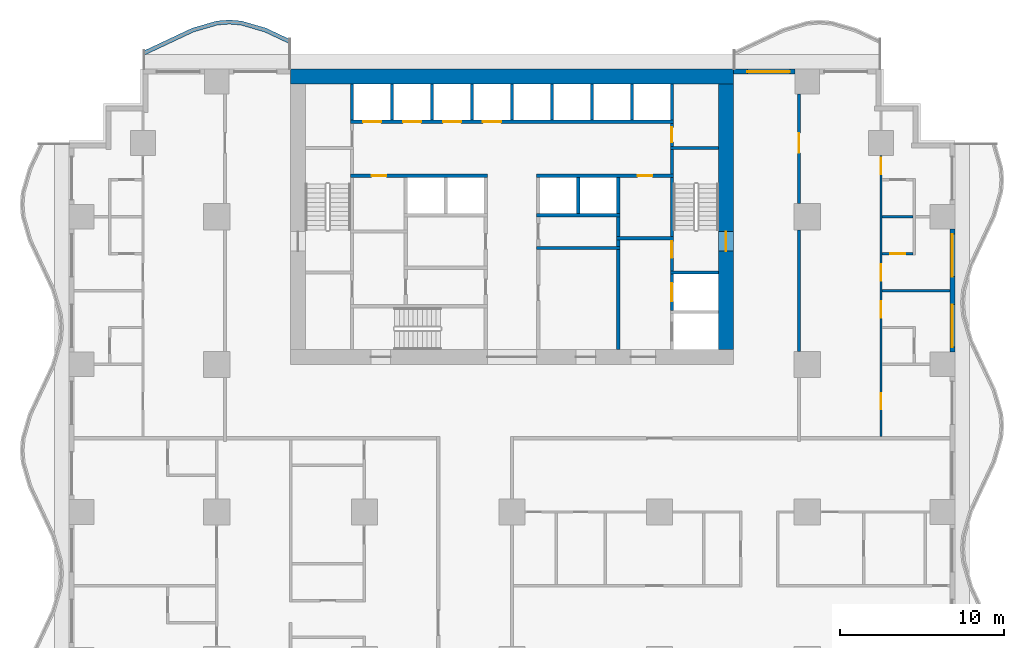
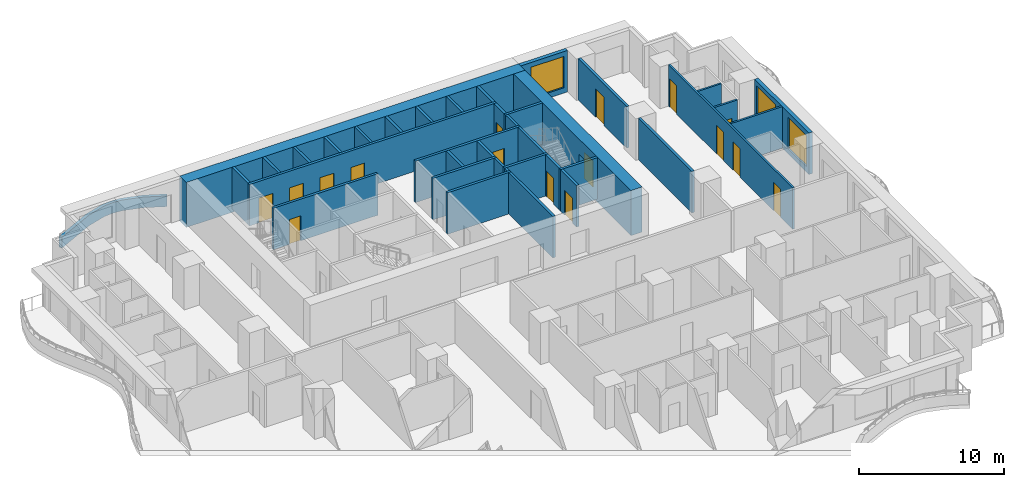
# One storey, part 6 of 14: 38 walls, 16 doors, 3 windows, 19 openings.
"""IFC4 building model written with IfcOpenShell, lengths in metres."""

import ifcopenshell
import ifcopenshell.guid

model = None  # the IFC model being written
_history = None  # IfcOwnerHistory: only IFC2X3 demands one
_inside = {}  # id of a spatial element -> (the spatial element, [elements in it])
_under = {}  # id of a project, library or spatial element -> (it, [spatial elements below it])
_declared = {}  # id of a project -> (the project, [libraries it declares])
_typed = {}  # id of a type object -> (the type object, [elements of that type])
_made_of = {}  # id of a material, layer set ... -> (it, [elements and type objects made of it])


def new_model(schema):
    """Start an empty IFC model of exactly this schema.

    Asked for "IFC4X3", IfcOpenShell would pick the latest addendum, in which some entities
    have other attributes; the version numbers below select the first issue.
    IFC2X3 requires an IfcOwnerHistory on every rooted entity: one is made here for all.
    """
    global model, _history
    if schema == "IFC4X3":
        model = ifcopenshell.file(schema_version=(4, 3, 0, 0))
    else:
        model = ifcopenshell.file(schema=schema)
    _inside.clear()
    _under.clear()
    _declared.clear()
    _typed.clear()
    _made_of.clear()
    _history = None
    if model.schema == "IFC2X3":
        org = make("IfcOrganization", Name="unknown")
        user = make(
            "IfcPersonAndOrganization",
            ThePerson=make("IfcPerson", FamilyName="unknown"),
            TheOrganization=org,
        )
        app = make(
            "IfcApplication",
            ApplicationDeveloper=org,
            Version="unknown",
            ApplicationFullName="unknown",
            ApplicationIdentifier="unknown",
        )
        _history = make(
            "IfcOwnerHistory",
            OwningUser=user,
            OwningApplication=app,
            ChangeAction="ADDED",
            CreationDate=0,
        )
    return model


def make(cls, **values):
    """One entity of the class cls with the attributes given. An attribute that is None is left unset."""
    return model.create_entity(
        cls, **{name: value for name, value in values.items() if value is not None}
    )


def rooted(cls, **values):
    """An entity with a GlobalId (a new one), such as an element, a storey or a relation."""
    return make(cls, GlobalId=ifcopenshell.guid.new(), OwnerHistory=_history, **values)


def si_unit(unit_type, name, prefix=None):
    """IfcSIUnit, for example si_unit("LENGTHUNIT", "METRE", prefix="MILLI")."""
    return make("IfcSIUnit", UnitType=unit_type, Prefix=prefix, Name=name)


def assignment(units):
    """IfcUnitAssignment: the units of a project."""
    return None if units is None else make("IfcUnitAssignment", Units=units)


def point(xyz):
    """IfcCartesianPoint."""
    return None if xyz is None else make("IfcCartesianPoint", Coordinates=xyz)


def direction(xyz):
    """IfcDirection."""
    return None if xyz is None else make("IfcDirection", DirectionRatios=xyz)


def frame(location, z_axis=None, x_axis=None):
    """IfcAxis2Placement3D, a coordinate frame: its origin and axes. An axis left out is left unset."""
    return make(
        "IfcAxis2Placement3D",
        Location=point(location),
        Axis=direction(z_axis),
        RefDirection=direction(x_axis),
    )


def frame_2d(location, x_axis=None):
    """IfcAxis2Placement2D, a coordinate frame in the plane: its origin and x axis."""
    return make(
        "IfcAxis2Placement2D", Location=point(location), RefDirection=direction(x_axis)
    )


def origin():
    """The frame at (0, 0, 0) with its axes left unset."""
    return frame((0.0, 0.0, 0.0))


def place(relative_to, where):
    """IfcLocalPlacement: puts the frame where relative to a parent placement (None: the world)."""
    return make(
        "IfcLocalPlacement", PlacementRelTo=relative_to, RelativePlacement=where
    )


def context(
    kind, dimensions, precision=None, world=None, true_north=None, identifier=None
):
    """IfcGeometricRepresentationContext, for example the 3D "Model" context."""
    return make(
        "IfcGeometricRepresentationContext",
        ContextIdentifier=identifier,
        ContextType=kind,
        CoordinateSpaceDimension=dimensions,
        Precision=precision,
        WorldCoordinateSystem=world,
        TrueNorth=true_north,
    )


def subcontext(parent, identifier, kind, view, scale=None):
    """IfcGeometricRepresentationSubContext, for example "Body" below "Model"."""
    return make(
        "IfcGeometricRepresentationSubContext",
        ContextIdentifier=identifier,
        ContextType=kind,
        ParentContext=parent,
        TargetScale=scale,
        TargetView=view,
    )


def project(units=None, contexts=None):
    """IfcProject with its units and contexts."""
    return rooted(
        "IfcProject",
        Name="project",
        RepresentationContexts=contexts,
        UnitsInContext=assignment(units),
    )


def spatial(cls, under=None, at=None, **own):
    """A site, building, storey or space (cls), placed at a placement, below another one or the project."""
    s = rooted(cls, ObjectPlacement=at, **own)
    if under is not None:
        _under.setdefault(under.id(), (under, []))[1].append(s)
    return s


def polyline(points):
    """IfcPolyline through the points."""
    return make("IfcPolyline", Points=[point(p) for p in points])


def profile(cls, at=None, kind="AREA", **sizes):
    """A parametric profile (cls). Its sizes go by their IFC names, for example OverallWidth=200.0."""
    return make(cls, ProfileType=kind, Position=at, **sizes)


def rectangle(**sizes):
    """IfcRectangleProfileDef."""
    return profile("IfcRectangleProfileDef", **sizes)


def outline(outer, holes=None, kind="AREA"):
    """IfcArbitraryClosedProfileDef: a profile drawn as a closed curve; with holes, ...WithVoids."""
    if holes is None:
        return make("IfcArbitraryClosedProfileDef", ProfileType=kind, OuterCurve=outer)
    return make(
        "IfcArbitraryProfileDefWithVoids",
        ProfileType=kind,
        OuterCurve=outer,
        InnerCurves=holes,
    )


def extrude(swept, where, along, depth):
    """IfcExtrudedAreaSolid: the profile swept, set in the frame where, extruded along a direction by depth."""
    return make(
        "IfcExtrudedAreaSolid",
        SweptArea=swept,
        Position=where,
        ExtrudedDirection=direction(along),
        Depth=depth,
    )


def shape(context_of_items, identifier, shape_type, items):
    """IfcShapeRepresentation: the items that make up one representation, for example the "Body"."""
    return make(
        "IfcShapeRepresentation",
        ContextOfItems=context_of_items,
        RepresentationIdentifier=identifier,
        RepresentationType=shape_type,
        Items=items,
    )


def material(Name=None, Category=None):
    """IfcMaterial."""
    return make("IfcMaterial", Name=Name, Category=Category)


def layer(
    of_material, thickness, ventilated=None, Name=None, Category=None, Priority=None
):
    """IfcMaterialLayer: one layer of a wall or slab, of a material (None: an air gap)."""
    return make(
        "IfcMaterialLayer",
        Material=of_material,
        LayerThickness=thickness,
        IsVentilated=ventilated,
        Name=Name,
        Category=Category,
        Priority=Priority,
    )


def layer_set(layers, Name=None):
    """IfcMaterialLayerSet."""
    return make("IfcMaterialLayerSet", MaterialLayers=layers, LayerSetName=Name)


def made_of(thing, what):
    """Note that an element or type object is made of a material, layer set ...; save() writes the relation."""
    if what is not None:
        _made_of.setdefault(what.id(), (what, []))[1].append(thing)
    return thing


def type_object(cls, material=None, **own):
    """A type object (cls), such as IfcWallType, which elements share."""
    return made_of(rooted(cls, **own), material)


def element(
    cls,
    number,
    at=None,
    inside=None,
    cuts=None,
    type_object=None,
    material=None,
    context=None,
    identifier="Body",
    shape_type=None,
    held_by="IfcProductDefinitionShape",
    body=None,
    shapes=None,
    **own,
):
    """One element of the class cls, such as IfcWall. Its Tag is "e" and its number.

    at: its placement. inside: the storey or other place that contains it. cuts: it is an
    opening in that element (IfcRelVoidsElement). A single representation is given by context,
    identifier, shape_type and body (its items); several are given by shapes. held_by: the class
    of the entity that holds the representations. save() writes the other relations.
    """
    e = rooted(cls, Tag="e%d" % number, ObjectPlacement=at, **own)
    if body is not None:
        shapes = [shape(context, identifier, shape_type, body)]
    if shapes is not None:
        e.Representation = make(held_by, Representations=shapes)
    if inside is not None:
        _inside.setdefault(inside.id(), (inside, []))[1].append(e)
    if cuts is not None:
        rooted(
            "IfcRelVoidsElement", RelatingBuildingElement=cuts, RelatedOpeningElement=e
        )
    if type_object is not None:
        _typed.setdefault(type_object.id(), (type_object, []))[1].append(e)
    return made_of(e, material)


def fill(opening, filler):
    """IfcRelFillsElement: the door or window that sits in an opening."""
    return rooted(
        "IfcRelFillsElement",
        RelatingOpeningElement=opening,
        RelatedBuildingElement=filler,
    )


def aggregate(whole, parts):
    """IfcRelAggregates: a whole, such as a stair, and the parts it consists of."""
    return rooted("IfcRelAggregates", RelatingObject=whole, RelatedObjects=parts)


def save(model, path):
    """Write the relations noted so far, then the file.

    IfcRelAggregates (storeys below a building ...), IfcRelContainedInSpatialStructure (elements
    in a storey), IfcRelDefinesByType, IfcRelAssociatesMaterial and IfcRelDeclares: one each for
    every whole, place, type object, material and project.
    """
    for whole, parts in _under.values():
        aggregate(whole, parts)
    for where, things in _inside.values():
        rooted(
            "IfcRelContainedInSpatialStructure",
            RelatedElements=things,
            RelatingStructure=where,
        )
    for kind, things in _typed.values():
        rooted("IfcRelDefinesByType", RelatedObjects=things, RelatingType=kind)
    for what, things in _made_of.values():
        rooted("IfcRelAssociatesMaterial", RelatedObjects=things, RelatingMaterial=what)
    for by, libraries in _declared.values():
        rooted("IfcRelDeclares", RelatingContext=by, RelatedDefinitions=libraries)
    model.write(path)


model = new_model("IFC4")

# Units and contexts
model_context = context("Model", 3, precision=1e-05, world=origin(), true_north=direction((0.0, 1.0)))
body_context = subcontext(model_context, "Body", "Model", "MODEL_VIEW")
ifc_project = project(units=[si_unit("LENGTHUNIT", "METRE"), si_unit("AREAUNIT", "SQUARE_METRE"), si_unit("VOLUMEUNIT", "CUBIC_METRE"), si_unit("PLANEANGLEUNIT", "RADIAN"), si_unit("MASSUNIT", "GRAM", prefix="KILO")], contexts=[model_context])

# Site, building, storey
site_placement = place(None, origin())
site = spatial("IfcSite", under=ifc_project, at=site_placement, CompositionType="ELEMENT")
building_placement = place(site_placement, origin())
building = spatial("IfcBuilding", under=site, at=building_placement, Name="Orbiselva Terraces", CompositionType="ELEMENT")
storey_placement = place(building_placement, frame((0.0, 0.0, 15.0)))
storey = spatial("IfcBuildingStorey", under=building, at=storey_placement, Name="L03", CompositionType="ELEMENT", Elevation=15.0)

# Wall, opening, door
ifc_material_1 = material(Name="Concrete C80/95", Category="concrete")
ifc_layer_1 = layer(ifc_material_1, 0.9)
ifc_layer_set_1 = layer_set([ifc_layer_1], Name="Concrete C80/95")
wall_type_1 = type_object("IfcWallType", Name="CORE WALL 900", PredefinedType="SHEAR", material=ifc_layer_set_1)
wall_1_placement = place(storey_placement, frame((13.05, 5.4, -0.3), z_axis=(0.0, 0.0, 1.0), x_axis=(0.0, 1.0, 0.0)))
wall_1 = element("IfcWall", 1, at=wall_1_placement, inside=storey, type_object=wall_type_1, Name="Core wall L03 east", PredefinedType="SHEAR", context=body_context, shape_type="SweptSolid", body=[
    extrude(rectangle(XDim=16.2, YDim=0.9, at=frame_2d((8.1, 0.0))), origin(), (0.0, 0.0, 1.0), 3.8),
])
opening_1_placement = place(wall_1_placement, frame((6.0, 0.0, 0.3)))
opening_1 = element("IfcOpeningElement", 2, at=opening_1_placement, cuts=wall_1, Name="Opening DS1200", PredefinedType="OPENING", context=body_context, shape_type="SweptSolid", body=[
    extrude(rectangle(XDim=1.2, YDim=2.2, at=frame_2d((0.6, 1.1))), frame((0.0, 0.46, 0.0), z_axis=(0.0, -1.0, 0.0), x_axis=(1.0, 0.0, 0.0)), (0.0, 0.0, 1.0), 0.92),
])
ifc_material_2 = material(Name="Steel fire door", Category="steel")
door_type_1 = type_object("IfcDoorType", Name="STAIR DOOR 1200", OperationType="NOTDEFINED", PredefinedType="DOOR", material=ifc_material_2)
door_1_placement = place(opening_1_placement, frame((1.2, 0.0, 0.0), z_axis=(0.0, 0.0, 1.0), x_axis=(-1.0, 0.0, 0.0)))
door_1 = element("IfcDoor", 3, at=door_1_placement, inside=storey, type_object=door_type_1, Name="L03 EXIT STAIR S2 door", OperationType="SINGLE_SWING_LEFT", OverallHeight=2.2, OverallWidth=1.2, PredefinedType="DOOR", context=body_context, shape_type="SweptSolid", body=[
    extrude(rectangle(XDim=1.2, YDim=2.2, at=frame_2d((0.6, 1.1))), frame((0.0, 0.025, 0.0), z_axis=(0.0, -1.0, 0.0), x_axis=(1.0, 0.0, 0.0)), (0.0, 0.0, 1.0), 0.05),
])
fill(opening_1, door_1)

# Walls
ifc_layer_2 = layer(ifc_material_1, 0.9)
ifc_layer_set_2 = layer_set([ifc_layer_2], Name="Concrete C80/95")
wall_type_2 = type_object("IfcWallType", Name="CORE WALL 900 EXTERNAL", PredefinedType="SHEAR", material=ifc_layer_set_2)
wall_2_placement = place(storey_placement, frame((13.5, 22.05, -0.3), z_axis=(0.0, 0.0, 1.0), x_axis=(-1.0, 0.0, 0.0)))
element("IfcWall", 4, at=wall_2_placement, inside=storey, type_object=wall_type_2, Name="Core wall L03 north", PredefinedType="SHEAR", context=body_context, shape_type="SweptSolid", body=[
    extrude(rectangle(XDim=27.0, YDim=0.9, at=frame_2d((13.5, 0.0))), origin(), (0.0, 0.0, 1.0), 3.8),
])
ifc_material_3 = material(Name="Masonry blockwork", Category="masonry")
ifc_layer_3 = layer(ifc_material_3, 0.2)
ifc_layer_set_3 = layer_set([ifc_layer_3], Name="Masonry blockwork")
wall_type_3 = type_object("IfcWallType", Name="CORE-WALL-PARTITION-200", PredefinedType="PARTITIONING", material=ifc_layer_set_3)
wall_3_placement = place(storey_placement, frame((6.475, 12.3, 0.0), z_axis=(0.0, 0.0, 1.0), x_axis=(0.0, 1.0, 0.0)))
element("IfcWall", 5, at=wall_3_placement, inside=storey, type_object=wall_type_3, Name="L03 core wall 41", PredefinedType="PARTITIONING", context=body_context, shape_type="SweptSolid", body=[
    extrude(rectangle(XDim=1.2, YDim=0.2, at=frame_2d((0.6, 0.0))), origin(), (0.0, 0.0, 1.0), 3.5),
])

# Wall, opening, door
wall_4_placement = place(storey_placement, frame((9.75, 19.2, 0.0), z_axis=(0.0, 0.0, 1.0), x_axis=(0.0, -1.0, 0.0)))
wall_4 = element("IfcWall", 6, at=wall_4_placement, inside=storey, type_object=wall_type_3, Name="L03 core wall 52", PredefinedType="PARTITIONING", context=body_context, shape_type="SweptSolid", body=[
    extrude(rectangle(XDim=1.4, YDim=0.2, at=frame_2d((0.7, 0.0))), origin(), (0.0, 0.0, 1.0), 3.5),
])
opening_2_placement = place(wall_4_placement, frame((0.25, 0.0, 0.0)))
opening_2 = element("IfcOpeningElement", 7, at=opening_2_placement, cuts=wall_4, Name="Opening DR900", PredefinedType="OPENING", context=body_context, shape_type="SweptSolid", body=[
    extrude(rectangle(XDim=0.9, YDim=2.1, at=frame_2d((0.45, 1.05))), frame((0.0, 0.11, 0.0), z_axis=(0.0, -1.0, 0.0), x_axis=(1.0, 0.0, 0.0)), (0.0, 0.0, 1.0), 0.22),
])
door_type_2 = type_object("IfcDoorType", Name="ROOM DOOR 900", OperationType="NOTDEFINED", PredefinedType="DOOR", material=ifc_material_2)
door_2_placement = place(opening_2_placement, origin())
door_2 = element("IfcDoor", 8, at=door_2_placement, inside=storey, type_object=door_type_2, Name="L03 COMMS RISER ROOM door", OperationType="SINGLE_SWING_RIGHT", OverallHeight=2.1, OverallWidth=0.9, PredefinedType="DOOR", context=body_context, shape_type="SweptSolid", body=[
    extrude(rectangle(XDim=0.9, YDim=2.1, at=frame_2d((0.45, 1.05))), frame((0.0, 0.025, 0.0), z_axis=(0.0, -1.0, 0.0), x_axis=(1.0, 0.0, 0.0)), (0.0, 0.0, 1.0), 0.05),
])
fill(opening_2, door_2)

# Walls
ifc_material_4 = material(Name="Concrete C40/50", Category="concrete")
ifc_layer_4 = layer(ifc_material_4, 0.2)
ifc_layer_set_4 = layer_set([ifc_layer_4], Name="Concrete C40/50")
wall_type_4 = type_object("IfcWallType", Name="CORE-WALL-SHAFT-200", PredefinedType="PARTITIONING", material=ifc_layer_set_4)
for number, where, z_axis, x_axis, name in (
    (9, (-9.75, 19.4, 0.0), (0.0, 0.0, 1.0), (0.0, 1.0, 0.0), "L03 core wall 13"),
    (10, (-7.3125, 19.4, 0.0), (0.0, 0.0, 1.0), (0.0, 1.0, 0.0), "L03 core wall 14"),
    (11, (-4.875, 19.4, 0.0), (0.0, 0.0, 1.0), (0.0, 1.0, 0.0), "L03 core wall 21"),
    (12, (-2.4375, 19.4, 0.0), (0.0, 0.0, 1.0), (0.0, 1.0, 0.0), "L03 core wall 23"),
    (13, (0.0, 19.4, 0.0), (0.0, 0.0, 1.0), (0.0, 1.0, 0.0), "L03 core wall 28"),
    (14, (2.4375, 19.4, 0.0), (0.0, 0.0, 1.0), (0.0, 1.0, 0.0), "L03 core wall 35"),
    (15, (4.0375, 13.7, 0.0), (0.0, 0.0, 1.0), (0.0, 1.0, 0.0), "L03 core wall 36"),
    (16, (4.875, 19.4, 0.0), (0.0, 0.0, 1.0), (0.0, 1.0, 0.0), "L03 core wall 37"),
    (17, (6.475, 13.7, 0.0), (0.0, 0.0, 1.0), (0.0, 1.0, 0.0), "L03 core wall 42"),
    (18, (7.3125, 19.4, 0.0), (0.0, 0.0, 1.0), (0.0, 1.0, 0.0), "L03 core wall 43"),
    (19, (9.75, 19.4, 0.0), (0.0, 0.0, 1.0), (0.0, 1.0, 0.0), "L03 core wall 53"),
):
    element("IfcWall", number, at=place(storey_placement, frame(where, z_axis=z_axis, x_axis=x_axis)), inside=storey, type_object=wall_type_4, Name=name, PredefinedType="PARTITIONING", context=body_context, shape_type="SweptSolid", body=[
        extrude(rectangle(XDim=2.2, YDim=0.2, at=frame_2d((1.1, 0.0))), origin(), (0.0, 0.0, 1.0), 3.5),
    ])

# Wall, opening, door
ifc_material_5 = material(Name="Concrete C60/75", Category="concrete")
ifc_layer_5 = layer(ifc_material_5, 0.2)
ifc_layer_set_5 = layer_set([ifc_layer_5], Name="Concrete C60/75")
wall_type_5 = type_object("IfcWallType", Name="CORE-WALL-SHEAR-200", PredefinedType="SHEAR", material=ifc_layer_set_5)
wall_5_placement = place(storey_placement, frame((-1.5, 16.0, 0.0), z_axis=(0.0, 0.0, 1.0), x_axis=(-1.0, 0.0, 0.0)))
wall_5 = element("IfcWall", 20, at=wall_5_placement, inside=storey, type_object=wall_type_5, Name="L03 core wall 09", PredefinedType="SHEAR", context=body_context, shape_type="SweptSolid", body=[
    extrude(rectangle(XDim=8.35, YDim=0.2, at=frame_2d((4.175, 0.0))), origin(), (0.0, 0.0, 1.0), 3.5),
])
opening_3_placement = place(wall_5_placement, frame((6.1625, 0.0, 0.0)))
opening_3 = element("IfcOpeningElement", 21, at=opening_3_placement, cuts=wall_5, Name="Opening DR900", PredefinedType="OPENING", context=body_context, shape_type="SweptSolid", body=[
    extrude(rectangle(XDim=0.9, YDim=2.1, at=frame_2d((0.45, 1.05))), frame((0.0, 0.11, 0.0), z_axis=(0.0, -1.0, 0.0), x_axis=(1.0, 0.0, 0.0)), (0.0, 0.0, 1.0), 0.22),
])
door_3_placement = place(opening_3_placement, origin())
door_3 = element("IfcDoor", 22, at=door_3_placement, inside=storey, type_object=door_type_2, Name="L03 IT ROOM door", OperationType="SINGLE_SWING_RIGHT", OverallHeight=2.1, OverallWidth=0.9, PredefinedType="DOOR", context=body_context, shape_type="SweptSolid", body=[
    extrude(rectangle(XDim=0.9, YDim=2.1, at=frame_2d((0.45, 1.05))), frame((0.0, 0.025, 0.0), z_axis=(0.0, -1.0, 0.0), x_axis=(1.0, 0.0, 0.0)), (0.0, 0.0, 1.0), 0.05),
])
fill(opening_3, door_3)

# Wall, openings, doors
wall_6_placement = place(storey_placement, frame((-9.85, 19.3, 0.0), z_axis=(0.0, 0.0, 1.0), x_axis=(1.0, 0.0, 0.0)))
wall_6 = element("IfcWall", 23, at=wall_6_placement, inside=storey, type_object=wall_type_5, Name="L03 core wall 12", PredefinedType="SHEAR", context=body_context, shape_type="SweptSolid", body=[
    extrude(rectangle(XDim=19.7, YDim=0.2, at=frame_2d((9.85, 0.0))), origin(), (0.0, 0.0, 1.0), 3.5),
])
opening_4_placement = place(wall_6_placement, frame((0.76875, 0.0, 0.0)))
opening_4 = element("IfcOpeningElement", 24, at=opening_4_placement, cuts=wall_6, Name="Opening LD-LR1", PredefinedType="OPENING", context=body_context, shape_type="SweptSolid", body=[
    extrude(rectangle(XDim=1.1, YDim=2.1, at=frame_2d((0.55, 1.05))), frame((0.0, 0.11, 0.0), z_axis=(0.0, -1.0, 0.0), x_axis=(1.0, 0.0, 0.0)), (0.0, 0.0, 1.0), 0.22),
])
opening_5_placement = place(wall_6_placement, frame((3.20625, 0.0, 0.0)))
opening_5 = element("IfcOpeningElement", 25, at=opening_5_placement, cuts=wall_6, Name="Opening LD-LR2", PredefinedType="OPENING", context=body_context, shape_type="SweptSolid", body=[
    extrude(rectangle(XDim=1.1, YDim=2.1, at=frame_2d((0.55, 1.05))), frame((0.0, 0.11, 0.0), z_axis=(0.0, -1.0, 0.0), x_axis=(1.0, 0.0, 0.0)), (0.0, 0.0, 1.0), 0.22),
])
opening_6_placement = place(wall_6_placement, frame((5.64375, 0.0, 0.0)))
opening_6 = element("IfcOpeningElement", 26, at=opening_6_placement, cuts=wall_6, Name="Opening LD-LR3", PredefinedType="OPENING", context=body_context, shape_type="SweptSolid", body=[
    extrude(rectangle(XDim=1.1, YDim=2.1, at=frame_2d((0.55, 1.05))), frame((0.0, 0.11, 0.0), z_axis=(0.0, -1.0, 0.0), x_axis=(1.0, 0.0, 0.0)), (0.0, 0.0, 1.0), 0.22),
])
opening_7_placement = place(wall_6_placement, frame((8.08125, 0.0, 0.0)))
opening_7 = element("IfcOpeningElement", 27, at=opening_7_placement, cuts=wall_6, Name="Opening LD-LR4", PredefinedType="OPENING", context=body_context, shape_type="SweptSolid", body=[
    extrude(rectangle(XDim=1.1, YDim=2.1, at=frame_2d((0.55, 1.05))), frame((0.0, 0.11, 0.0), z_axis=(0.0, -1.0, 0.0), x_axis=(1.0, 0.0, 0.0)), (0.0, 0.0, 1.0), 0.22),
])
ifc_material_6 = material(Name="Stainless steel landing door", Category="steel")
door_type_3 = type_object("IfcDoorType", Name="LANDING DOOR 1100", OperationType="SLIDING_TO_LEFT", PredefinedType="DOOR", material=ifc_material_6)
door_4_placement = place(opening_4_placement, origin())
door_4 = element("IfcDoor", 28, at=door_4_placement, inside=storey, type_object=door_type_3, Name="L03 landing door LR1", OperationType="SLIDING_TO_LEFT", OverallHeight=2.1, OverallWidth=1.1, PredefinedType="DOOR", context=body_context, shape_type="SweptSolid", body=[
    extrude(rectangle(XDim=1.1, YDim=2.1, at=frame_2d((0.55, 1.05))), frame((0.0, 0.025, 0.0), z_axis=(0.0, -1.0, 0.0), x_axis=(1.0, 0.0, 0.0)), (0.0, 0.0, 1.0), 0.05),
])
fill(opening_4, door_4)
door_5_placement = place(opening_5_placement, origin())
door_5 = element("IfcDoor", 29, at=door_5_placement, inside=storey, type_object=door_type_3, Name="L03 landing door LR2", OperationType="SLIDING_TO_LEFT", OverallHeight=2.1, OverallWidth=1.1, PredefinedType="DOOR", context=body_context, shape_type="SweptSolid", body=[
    extrude(rectangle(XDim=1.1, YDim=2.1, at=frame_2d((0.55, 1.05))), frame((0.0, 0.025, 0.0), z_axis=(0.0, -1.0, 0.0), x_axis=(1.0, 0.0, 0.0)), (0.0, 0.0, 1.0), 0.05),
])
fill(opening_5, door_5)
door_6_placement = place(opening_6_placement, origin())
door_6 = element("IfcDoor", 30, at=door_6_placement, inside=storey, type_object=door_type_3, Name="L03 landing door LR3", OperationType="SLIDING_TO_LEFT", OverallHeight=2.1, OverallWidth=1.1, PredefinedType="DOOR", context=body_context, shape_type="SweptSolid", body=[
    extrude(rectangle(XDim=1.1, YDim=2.1, at=frame_2d((0.55, 1.05))), frame((0.0, 0.025, 0.0), z_axis=(0.0, -1.0, 0.0), x_axis=(1.0, 0.0, 0.0)), (0.0, 0.0, 1.0), 0.05),
])
fill(opening_6, door_6)
door_7_placement = place(opening_7_placement, origin())
door_7 = element("IfcDoor", 31, at=door_7_placement, inside=storey, type_object=door_type_3, Name="L03 landing door LR4", OperationType="SLIDING_TO_LEFT", OverallHeight=2.1, OverallWidth=1.1, PredefinedType="DOOR", context=body_context, shape_type="SweptSolid", body=[
    extrude(rectangle(XDim=1.1, YDim=2.1, at=frame_2d((0.55, 1.05))), frame((0.0, 0.025, 0.0), z_axis=(0.0, -1.0, 0.0), x_axis=(1.0, 0.0, 0.0)), (0.0, 0.0, 1.0), 0.05),
])
fill(opening_7, door_7)

# Walls
for number, where, z_axis, x_axis, name in (
    (32, (1.5, 11.6, 0.0), (0.0, 0.0, 1.0), (1.0, 0.0, 0.0), "L03 core wall 30"),
    (33, (1.5, 13.6, 0.0), (0.0, 0.0, 1.0), (1.0, 0.0, 0.0), "L03 core wall 32"),
):
    element("IfcWall", number, at=place(storey_placement, frame(where, z_axis=z_axis, x_axis=x_axis)), inside=storey, type_object=wall_type_5, Name=name, PredefinedType="SHEAR", context=body_context, shape_type="SweptSolid", body=[
        extrude(rectangle(XDim=5.075, YDim=0.2, at=frame_2d((2.5375, 0.0))), origin(), (0.0, 0.0, 1.0), 3.5),
    ])

# Wall, opening, door
wall_7_placement = place(storey_placement, frame((9.85, 16.0, 0.0), z_axis=(0.0, 0.0, 1.0), x_axis=(-1.0, 0.0, 0.0)))
wall_7 = element("IfcWall", 34, at=wall_7_placement, inside=storey, type_object=wall_type_5, Name="L03 core wall 34", PredefinedType="SHEAR", context=body_context, shape_type="SweptSolid", body=[
    extrude(rectangle(XDim=8.35, YDim=0.2, at=frame_2d((4.175, 0.0))), origin(), (0.0, 0.0, 1.0), 3.5),
])
opening_8_placement = place(wall_7_placement, frame((1.2875, 0.0, 0.0)))
opening_8 = element("IfcOpeningElement", 35, at=opening_8_placement, cuts=wall_7, Name="Opening DR900", PredefinedType="OPENING", context=body_context, shape_type="SweptSolid", body=[
    extrude(rectangle(XDim=0.9, YDim=2.1, at=frame_2d((0.45, 1.05))), frame((0.0, 0.11, 0.0), z_axis=(0.0, -1.0, 0.0), x_axis=(1.0, 0.0, 0.0)), (0.0, 0.0, 1.0), 0.22),
])
door_8_placement = place(opening_8_placement, origin())
door_8 = element("IfcDoor", 36, at=door_8_placement, inside=storey, type_object=door_type_2, Name="L03 PIPE RISER ROOM door", OperationType="SINGLE_SWING_LEFT", OverallHeight=2.1, OverallWidth=0.9, PredefinedType="DOOR", context=body_context, shape_type="SweptSolid", body=[
    extrude(rectangle(XDim=0.9, YDim=2.1, at=frame_2d((0.45, 1.05))), frame((0.0, 0.025, 0.0), z_axis=(0.0, -1.0, 0.0), x_axis=(1.0, 0.0, 0.0)), (0.0, 0.0, 1.0), 0.05),
])
fill(opening_8, door_8)

# Walls
wall_8_placement = place(storey_placement, frame((6.475, 5.4, 0.0), z_axis=(0.0, 0.0, 1.0), x_axis=(0.0, 1.0, 0.0)))
element("IfcWall", 37, at=wall_8_placement, inside=storey, type_object=wall_type_5, Name="L03 core wall 38", PredefinedType="SHEAR", context=body_context, shape_type="SweptSolid", body=[
    extrude(rectangle(XDim=6.1, YDim=0.2, at=frame_2d((3.05, 0.0))), origin(), (0.0, 0.0, 1.0), 3.5),
])
wall_9_placement = place(storey_placement, frame((6.475, 11.7, 0.0), z_axis=(0.0, 0.0, 1.0), x_axis=(0.0, 1.0, 0.0)))
element("IfcWall", 38, at=wall_9_placement, inside=storey, type_object=wall_type_5, Name="L03 core wall 39", PredefinedType="SHEAR", context=body_context, shape_type="SweptSolid", body=[
    extrude(rectangle(XDim=0.4, YDim=0.2, at=frame_2d((0.2, 0.0))), origin(), (0.0, 0.0, 1.0), 3.5),
])
wall_10_placement = place(storey_placement, frame((6.375, 12.2, 0.0), z_axis=(0.0, 0.0, 1.0), x_axis=(1.0, 0.0, 0.0)))
element("IfcWall", 39, at=wall_10_placement, inside=storey, type_object=wall_type_5, Name="L03 core wall 40", PredefinedType="SHEAR", context=body_context, shape_type="SweptSolid", body=[
    extrude(rectangle(XDim=3.475, YDim=0.2, at=frame_2d((1.7375, 0.0))), origin(), (0.0, 0.0, 1.0), 3.5),
])

# Wall, opening, door
wall_11_placement = place(storey_placement, frame((9.75, 7.8, 0.0), z_axis=(0.0, 0.0, 1.0), x_axis=(0.0, 1.0, 0.0)))
wall_11 = element("IfcWall", 40, at=wall_11_placement, inside=storey, type_object=wall_type_5, Name="L03 core wall 46", PredefinedType="SHEAR", context=body_context, shape_type="SweptSolid", body=[
    extrude(rectangle(XDim=2.2, YDim=0.2, at=frame_2d((1.1, 0.0))), origin(), (0.0, 0.0, 1.0), 3.5),
])
opening_9_placement = place(wall_11_placement, frame((0.55, 0.0, 0.0)))
opening_9 = element("IfcOpeningElement", 41, at=opening_9_placement, cuts=wall_11, Name="Opening LD-FF2", PredefinedType="OPENING", context=body_context, shape_type="SweptSolid", body=[
    extrude(rectangle(XDim=1.1, YDim=2.1, at=frame_2d((0.55, 1.05))), frame((0.0, 0.11, 0.0), z_axis=(0.0, -1.0, 0.0), x_axis=(1.0, 0.0, 0.0)), (0.0, 0.0, 1.0), 0.22),
])
door_9_placement = place(opening_9_placement, origin())
door_9 = element("IfcDoor", 42, at=door_9_placement, inside=storey, type_object=door_type_3, Name="L03 landing door FF2", OperationType="SLIDING_TO_RIGHT", OverallHeight=2.1, OverallWidth=1.1, PredefinedType="DOOR", context=body_context, shape_type="SweptSolid", body=[
    extrude(rectangle(XDim=1.1, YDim=2.1, at=frame_2d((0.55, 1.05))), frame((0.0, 0.025, 0.0), z_axis=(0.0, -1.0, 0.0), x_axis=(1.0, 0.0, 0.0)), (0.0, 0.0, 1.0), 0.05),
])
fill(opening_9, door_9)

# Wall
wall_12_placement = place(storey_placement, frame((9.65, 10.1, 0.0), z_axis=(0.0, 0.0, 1.0), x_axis=(1.0, 0.0, 0.0)))
element("IfcWall", 43, at=wall_12_placement, inside=storey, type_object=wall_type_5, Name="L03 core wall 47", PredefinedType="SHEAR", context=body_context, shape_type="SweptSolid", body=[
    extrude(rectangle(XDim=2.95, YDim=0.2, at=frame_2d((1.475, 0.0))), origin(), (0.0, 0.0, 1.0), 3.5),
])

# Wall, opening, door
wall_13_placement = place(storey_placement, frame((9.75, 12.1, 0.0), z_axis=(0.0, 0.0, 1.0), x_axis=(0.0, -1.0, 0.0)))
wall_13 = element("IfcWall", 44, at=wall_13_placement, inside=storey, type_object=wall_type_5, Name="L03 core wall 48", PredefinedType="SHEAR", context=body_context, shape_type="SweptSolid", body=[
    extrude(rectangle(XDim=1.9, YDim=0.2, at=frame_2d((0.95, 0.0))), origin(), (0.0, 0.0, 1.0), 3.5),
])
opening_10_placement = place(wall_13_placement, frame((0.1, 0.0, 0.0)))
opening_10 = element("IfcOpeningElement", 45, at=opening_10_placement, cuts=wall_13, Name="Opening DS1000", PredefinedType="OPENING", context=body_context, shape_type="SweptSolid", body=[
    extrude(rectangle(XDim=1.0, YDim=2.2, at=frame_2d((0.5, 1.1))), frame((0.0, 0.11, 0.0), z_axis=(0.0, -1.0, 0.0), x_axis=(1.0, 0.0, 0.0)), (0.0, 0.0, 1.0), 0.22),
])
door_type_4 = type_object("IfcDoorType", Name="STAIR DOOR 1000", OperationType="NOTDEFINED", PredefinedType="DOOR", material=ifc_material_2)
door_10_placement = place(opening_10_placement, origin())
door_10 = element("IfcDoor", 46, at=door_10_placement, inside=storey, type_object=door_type_4, Name="L03 FIRE-FIGHTING LOBBY TO EXIT STAIR S2 door", OperationType="SINGLE_SWING_LEFT", OverallHeight=2.2, OverallWidth=1.0, PredefinedType="DOOR", context=body_context, shape_type="SweptSolid", body=[
    extrude(rectangle(XDim=1.0, YDim=2.2, at=frame_2d((0.5, 1.1))), frame((0.0, 0.025, 0.0), z_axis=(0.0, -1.0, 0.0), x_axis=(1.0, 0.0, 0.0)), (0.0, 0.0, 1.0), 0.05),
])
fill(opening_10, door_10)

# Walls
wall_14_placement = place(storey_placement, frame((9.75, 12.3, 0.0), z_axis=(0.0, 0.0, 1.0), x_axis=(0.0, 1.0, 0.0)))
element("IfcWall", 47, at=wall_14_placement, inside=storey, type_object=wall_type_5, Name="L03 core wall 49", PredefinedType="SHEAR", context=body_context, shape_type="SweptSolid", body=[
    extrude(rectangle(XDim=3.6, YDim=0.2, at=frame_2d((1.8, 0.0))), origin(), (0.0, 0.0, 1.0), 3.5),
])
wall_15_placement = place(storey_placement, frame((9.75, 16.1, 0.0), z_axis=(0.0, 0.0, 1.0), x_axis=(0.0, 1.0, 0.0)))
element("IfcWall", 48, at=wall_15_placement, inside=storey, type_object=wall_type_5, Name="L03 core wall 50", PredefinedType="SHEAR", context=body_context, shape_type="SweptSolid", body=[
    extrude(rectangle(XDim=1.5, YDim=0.2, at=frame_2d((0.75, 0.0))), origin(), (0.0, 0.0, 1.0), 3.5),
])
wall_16_placement = place(storey_placement, frame((9.65, 17.7, 0.0), z_axis=(0.0, 0.0, 1.0), x_axis=(1.0, 0.0, 0.0)))
element("IfcWall", 49, at=wall_16_placement, inside=storey, type_object=wall_type_5, Name="L03 core wall 51", PredefinedType="SHEAR", context=body_context, shape_type="SweptSolid", body=[
    extrude(rectangle(XDim=2.95, YDim=0.2, at=frame_2d((1.475, 0.0))), origin(), (0.0, 0.0, 1.0), 3.5),
])
ifc_layer_6 = layer(ifc_material_4, 0.25)
ifc_layer_set_6 = layer_set([ifc_layer_6], Name="Concrete C40/50")
wall_type_6 = type_object("IfcWallType", Name="ENV-PLANTER-250x900", PredefinedType="USERDEFINED", material=ifc_layer_set_6)
wall_17_placement = place(storey_placement, origin())
element("IfcWall", 50, at=wall_17_placement, inside=storey, type_object=wall_type_6, Name="Balcony planter L03 NW", ObjectType="PLANTER", PredefinedType="USERDEFINED", context=body_context, shape_type="SweptSolid", body=[
    extrude(outline(polyline([(-13.5, 24.3), (-15.0, 25.005342), (-16.5, 25.441268), (-17.25, 25.5), (-18.0, 25.441268), (-19.5, 25.005342), (-21.0, 24.3), (-22.5, 23.594658), (-22.393617, 23.368422), (-20.893617, 24.073764), (-19.411382, 24.770753), (-17.954886, 25.194035), (-17.25, 25.249235), (-16.545114, 25.194035), (-15.088618, 24.770753), (-13.606383, 24.073764), (-13.5, 24.3)])), origin(), (0.0, 0.0, 1.0), 0.9),
])

# Wall, openings, windows
ifc_material_7 = material(Name="Terracotta cladding on masonry backing", Category="masonry")
ifc_layer_7 = layer(ifc_material_7, 0.3)
ifc_layer_set_7 = layer_set([ifc_layer_7], Name="Terracotta cladding on masonry backing")
wall_type_7 = type_object("IfcWallType", Name="ENV-WALL-TERRACOTTA-300", PredefinedType="SOLIDWALL", material=ifc_layer_set_7)
wall_18_placement = place(storey_placement, frame((26.85, 12.75, 0.0), z_axis=(0.0, 0.0, 1.0), x_axis=(0.0, -1.0, 0.0)))
wall_18 = element("IfcWall", 51, at=wall_18_placement, inside=storey, type_object=wall_type_7, Name="Facade wall L03 E", PredefinedType="SOLIDWALL", context=body_context, shape_type="SweptSolid", body=[
    extrude(rectangle(XDim=7.5, YDim=0.3, at=frame_2d((3.75, 0.0))), origin(), (0.0, 0.0, 1.0), 3.5),
])
opening_11_placement = place(wall_18_placement, frame((4.6, 0.0, 0.45)))
opening_11 = element("IfcOpeningElement", 52, at=opening_11_placement, cuts=wall_18, Name="Opening WN1", PredefinedType="OPENING", context=body_context, shape_type="SweptSolid", body=[
    extrude(rectangle(XDim=2.6, YDim=2.65, at=frame_2d((1.3, 1.325))), frame((0.0, 0.16, 0.0), z_axis=(0.0, -1.0, 0.0), x_axis=(1.0, 0.0, 0.0)), (0.0, 0.0, 1.0), 0.32),
])
opening_12_placement = place(wall_18_placement, frame((0.3, 0.0, 0.45)))
opening_12 = element("IfcOpeningElement", 53, at=opening_12_placement, cuts=wall_18, Name="Opening WN1", PredefinedType="OPENING", context=body_context, shape_type="SweptSolid", body=[
    extrude(rectangle(XDim=2.6, YDim=2.65, at=frame_2d((1.3, 1.325))), frame((0.0, 0.16, 0.0), z_axis=(0.0, -1.0, 0.0), x_axis=(1.0, 0.0, 0.0)), (0.0, 0.0, 1.0), 0.32),
])
ifc_material_8 = material(Name="Clear low-e glazing in aluminium frame", Category="aluminium")
window_type = type_object("IfcWindowType", Name="WINDOW 2600 X 2650 S450", PartitioningType="TRIPLE_PANEL_VERTICAL", PredefinedType="WINDOW", material=ifc_material_8)
window_1_placement = place(opening_11_placement, origin())
window_1 = element("IfcWindow", 54, at=window_1_placement, inside=storey, type_object=window_type, Name="Window L03 E", OverallHeight=2.65, OverallWidth=2.6, PartitioningType="SINGLE_PANEL", PredefinedType="WINDOW", context=body_context, shape_type="SweptSolid", body=[
    extrude(rectangle(XDim=2.6, YDim=2.65, at=frame_2d((1.3, 1.325))), frame((0.0, 0.03, 0.0), z_axis=(0.0, -1.0, 0.0), x_axis=(1.0, 0.0, 0.0)), (0.0, 0.0, 1.0), 0.06),
])
fill(opening_11, window_1)
window_2_placement = place(opening_12_placement, origin())
window_2 = element("IfcWindow", 55, at=window_2_placement, inside=storey, type_object=window_type, Name="Window L03 E", OverallHeight=2.65, OverallWidth=2.6, PartitioningType="SINGLE_PANEL", PredefinedType="WINDOW", context=body_context, shape_type="SweptSolid", body=[
    extrude(rectangle(XDim=2.6, YDim=2.65, at=frame_2d((1.3, 1.325))), frame((0.0, 0.03, 0.0), z_axis=(0.0, -1.0, 0.0), x_axis=(1.0, 0.0, 0.0)), (0.0, 0.0, 1.0), 0.06),
])
fill(opening_12, window_2)

# Wall, opening, window
wall_19_placement = place(storey_placement, frame((13.5, 22.35, 0.0), z_axis=(0.0, 0.0, 1.0), x_axis=(1.0, 0.0, 0.0)))
wall_19 = element("IfcWall", 56, at=wall_19_placement, inside=storey, type_object=wall_type_7, Name="Facade wall L03 NE", PredefinedType="SOLIDWALL", context=body_context, shape_type="SweptSolid", body=[
    extrude(rectangle(XDim=3.75, YDim=0.3, at=frame_2d((1.875, 0.0))), origin(), (0.0, 0.0, 1.0), 3.5),
])
opening_13_placement = place(wall_19_placement, frame((0.85, 0.0, 0.45)))
opening_13 = element("IfcOpeningElement", 57, at=opening_13_placement, cuts=wall_19, Name="Opening WN1", PredefinedType="OPENING", context=body_context, shape_type="SweptSolid", body=[
    extrude(rectangle(XDim=2.6, YDim=2.65, at=frame_2d((1.3, 1.325))), frame((0.0, 0.16, 0.0), z_axis=(0.0, -1.0, 0.0), x_axis=(1.0, 0.0, 0.0)), (0.0, 0.0, 1.0), 0.32),
])
window_3_placement = place(opening_13_placement, origin())
window_3 = element("IfcWindow", 58, at=window_3_placement, inside=storey, type_object=window_type, Name="Window L03 NE", OverallHeight=2.65, OverallWidth=2.6, PartitioningType="SINGLE_PANEL", PredefinedType="WINDOW", context=body_context, shape_type="SweptSolid", body=[
    extrude(rectangle(XDim=2.6, YDim=2.65, at=frame_2d((1.3, 1.325))), frame((0.0, 0.03, 0.0), z_axis=(0.0, -1.0, 0.0), x_axis=(1.0, 0.0, 0.0)), (0.0, 0.0, 1.0), 0.06),
])
fill(opening_13, window_3)

# Wall
ifc_material_9 = material(Name="Plasterboard on steel stud partition", Category="steel")
ifc_layer_8 = layer(ifc_material_9, 0.2)
ifc_layer_set_8 = layer_set([ifc_layer_8], Name="Plasterboard on steel stud partition")
wall_type_8 = type_object("IfcWallType", Name="UNIT-ENTRANCE-WALL-200", PredefinedType="PARTITIONING", material=ifc_layer_set_8)
wall_20_placement = place(storey_placement, frame((17.5, 5.3, 0.0), z_axis=(0.0, 0.0, 1.0), x_axis=(0.0, 1.0, 0.0)))
element("IfcWall", 59, at=wall_20_placement, inside=storey, type_object=wall_type_8, Name="PARTITION L03-083", PredefinedType="PARTITIONING", context=body_context, shape_type="SweptSolid", body=[
    extrude(rectangle(XDim=7.4, YDim=0.2, at=frame_2d((3.7, 0.0))), origin(), (0.0, 0.0, 1.0), 3.5),
])

# Wall, opening, door
wall_21_placement = place(storey_placement, frame((17.5, 21.0, 0.0), z_axis=(0.0, 0.0, 1.0), x_axis=(0.0, -1.0, 0.0)))
wall_21 = element("IfcWall", 60, at=wall_21_placement, inside=storey, type_object=wall_type_8, Name="PARTITION L03-084", PredefinedType="PARTITIONING", context=body_context, shape_type="SweptSolid", body=[
    extrude(rectangle(XDim=6.7, YDim=0.2, at=frame_2d((3.35, 0.0))), origin(), (0.0, 0.0, 1.0), 3.5),
])
opening_14_placement = place(wall_21_placement, frame((2.4, 0.0, 0.0)))
opening_14 = element("IfcOpeningElement", 61, at=opening_14_placement, cuts=wall_21, Name="Opening Z1-A-09", PredefinedType="OPENING", context=body_context, shape_type="SweptSolid", body=[
    extrude(rectangle(XDim=1.2, YDim=2.4, at=frame_2d((0.6, 1.2))), frame((0.0, 0.11, 0.0), z_axis=(0.0, -1.0, 0.0), x_axis=(1.0, 0.0, 0.0)), (0.0, 0.0, 1.0), 0.22),
])
ifc_material_10 = material(Name="Painted timber door leaf", Category="wood")
door_type_5 = type_object("IfcDoorType", Name="ENTRANCE DOOR 1200", OperationType="NOTDEFINED", PredefinedType="DOOR", material=ifc_material_10)
door_11_placement = place(opening_14_placement, origin())
door_11 = element("IfcDoor", 62, at=door_11_placement, inside=storey, type_object=door_type_5, Name="Z1-A-09", OperationType="SINGLE_SWING_LEFT", OverallHeight=2.4, OverallWidth=1.2, PredefinedType="DOOR", context=body_context, shape_type="SweptSolid", body=[
    extrude(rectangle(XDim=1.2, YDim=2.4, at=frame_2d((0.6, 1.2))), frame((0.0, 0.025, 0.0), z_axis=(0.0, -1.0, 0.0), x_axis=(1.0, 0.0, 0.0)), (0.0, 0.0, 1.0), 0.05),
])
fill(opening_14, door_11)

# Wall
ifc_layer_9 = layer(ifc_material_9, 0.15)
ifc_layer_set_9 = layer_set([ifc_layer_9], Name="Plasterboard on steel stud partition")
wall_type_9 = type_object("IfcWallType", Name="UNIT-PARTITION-150", PredefinedType="PARTITIONING", material=ifc_layer_set_9)
wall_22_placement = place(storey_placement, frame((22.575, 9.0, 0.0), z_axis=(0.0, 0.0, 1.0), x_axis=(1.0, 0.0, 0.0)))
element("IfcWall", 63, at=wall_22_placement, inside=storey, type_object=wall_type_9, Name="PARTITION L03-038", PredefinedType="PARTITIONING", context=body_context, shape_type="SweptSolid", body=[
    extrude(rectangle(XDim=4.125, YDim=0.15, at=frame_2d((2.0625, 0.0))), origin(), (0.0, 0.0, 1.0), 3.5),
])

# Wall, opening, door
wall_23_placement = place(storey_placement, frame((22.575, 11.25, 0.0), z_axis=(0.0, 0.0, 1.0), x_axis=(1.0, 0.0, 0.0)))
wall_23 = element("IfcWall", 64, at=wall_23_placement, inside=storey, type_object=wall_type_9, Name="PARTITION L03-040", PredefinedType="PARTITIONING", context=body_context, shape_type="SweptSolid", body=[
    extrude(rectangle(XDim=1.875, YDim=0.15, at=frame_2d((0.9375, 0.0))), origin(), (0.0, 0.0, 1.0), 3.5),
])
opening_15_placement = place(wall_23_placement, frame((0.5, 0.0, 0.0)))
opening_15 = element("IfcOpeningElement", 65, at=opening_15_placement, cuts=wall_23, Name="Opening Z1-A-14", PredefinedType="OPENING", context=body_context, shape_type="SweptSolid", body=[
    extrude(rectangle(XDim=0.9, YDim=2.1, at=frame_2d((0.45, 1.05))), frame((0.0, 0.085, 0.0), z_axis=(0.0, -1.0, 0.0), x_axis=(1.0, 0.0, 0.0)), (0.0, 0.0, 1.0), 0.17),
])
door_type_6 = type_object("IfcDoorType", Name="BATH DOOR 900", OperationType="NOTDEFINED", PredefinedType="DOOR", material=ifc_material_10)
door_12_placement = place(opening_15_placement, origin())
door_12 = element("IfcDoor", 66, at=door_12_placement, inside=storey, type_object=door_type_6, Name="Z1-A-14", OperationType="SINGLE_SWING_RIGHT", OverallHeight=2.1, OverallWidth=0.9, PredefinedType="DOOR", context=body_context, shape_type="SweptSolid", body=[
    extrude(rectangle(XDim=0.9, YDim=2.1, at=frame_2d((0.45, 1.05))), frame((0.0, 0.025, 0.0), z_axis=(0.0, -1.0, 0.0), x_axis=(1.0, 0.0, 0.0)), (0.0, 0.0, 1.0), 0.05),
])
fill(opening_15, door_12)

# Wall
wall_24_placement = place(storey_placement, frame((22.575, 13.5, 0.0), z_axis=(0.0, 0.0, 1.0), x_axis=(1.0, 0.0, 0.0)))
element("IfcWall", 67, at=wall_24_placement, inside=storey, type_object=wall_type_9, Name="PARTITION L03-043", PredefinedType="PARTITIONING", context=body_context, shape_type="SweptSolid", body=[
    extrude(rectangle(XDim=1.875, YDim=0.15, at=frame_2d((0.9375, 0.0))), origin(), (0.0, 0.0, 1.0), 3.5),
])

# Wall, openings, doors
wall_25_placement = place(storey_placement, frame((22.5, 17.25, 0.0), z_axis=(0.0, 0.0, 1.0), x_axis=(0.0, -1.0, 0.0)))
wall_25 = element("IfcWall", 68, at=wall_25_placement, inside=storey, type_object=wall_type_9, Name="PARTITION L03-088", PredefinedType="PARTITIONING", context=body_context, shape_type="SweptSolid", body=[
    extrude(rectangle(XDim=17.15, YDim=0.15, at=frame_2d((8.575, 0.0))), origin(), (0.0, 0.0, 1.0), 3.5),
])
opening_16_placement = place(wall_25_placement, frame((14.5, 0.0, 0.0)))
opening_16 = element("IfcOpeningElement", 69, at=opening_16_placement, cuts=wall_25, Name="Opening Z1-A-10", PredefinedType="OPENING", context=body_context, shape_type="SweptSolid", body=[
    extrude(rectangle(XDim=1.0, YDim=2.4, at=frame_2d((0.5, 1.2))), frame((0.0, 0.085, 0.0), z_axis=(0.0, -1.0, 0.0), x_axis=(1.0, 0.0, 0.0)), (0.0, 0.0, 1.0), 0.17),
])
opening_17_placement = place(wall_25_placement, frame((8.9, 0.0, 0.0)))
opening_17 = element("IfcOpeningElement", 70, at=opening_17_placement, cuts=wall_25, Name="Opening Z1-A-11", PredefinedType="OPENING", context=body_context, shape_type="SweptSolid", body=[
    extrude(rectangle(XDim=1.0, YDim=2.4, at=frame_2d((0.5, 1.2))), frame((0.0, 0.085, 0.0), z_axis=(0.0, -1.0, 0.0), x_axis=(1.0, 0.0, 0.0)), (0.0, 0.0, 1.0), 0.17),
])
opening_18_placement = place(wall_25_placement, frame((6.65, 0.0, 0.0)))
opening_18 = element("IfcOpeningElement", 71, at=opening_18_placement, cuts=wall_25, Name="Opening Z1-A-13", PredefinedType="OPENING", context=body_context, shape_type="SweptSolid", body=[
    extrude(rectangle(XDim=1.0, YDim=2.4, at=frame_2d((0.5, 1.2))), frame((0.0, 0.085, 0.0), z_axis=(0.0, -1.0, 0.0), x_axis=(1.0, 0.0, 0.0)), (0.0, 0.0, 1.0), 0.17),
])
opening_19_placement = place(wall_25_placement, frame((0.15, 0.0, 0.0)))
opening_19 = element("IfcOpeningElement", 72, at=opening_19_placement, cuts=wall_25, Name="Opening Z1-A-15", PredefinedType="OPENING", context=body_context, shape_type="SweptSolid", body=[
    extrude(rectangle(XDim=1.0, YDim=2.4, at=frame_2d((0.5, 1.2))), frame((0.0, 0.085, 0.0), z_axis=(0.0, -1.0, 0.0), x_axis=(1.0, 0.0, 0.0)), (0.0, 0.0, 1.0), 0.17),
])
door_type_7 = type_object("IfcDoorType", Name="ROOM DOOR 1000", OperationType="NOTDEFINED", PredefinedType="DOOR", material=ifc_material_10)
door_13_placement = place(opening_16_placement, origin())
door_13 = element("IfcDoor", 73, at=door_13_placement, inside=storey, type_object=door_type_7, Name="Z1-A-10", OperationType="SINGLE_SWING_RIGHT", OverallHeight=2.4, OverallWidth=1.0, PredefinedType="DOOR", context=body_context, shape_type="SweptSolid", body=[
    extrude(rectangle(XDim=1.0, YDim=2.4, at=frame_2d((0.5, 1.2))), frame((0.0, 0.025, 0.0), z_axis=(0.0, -1.0, 0.0), x_axis=(1.0, 0.0, 0.0)), (0.0, 0.0, 1.0), 0.05),
])
fill(opening_16, door_13)
door_14_placement = place(opening_17_placement, origin())
door_14 = element("IfcDoor", 74, at=door_14_placement, inside=storey, type_object=door_type_7, Name="Z1-A-11", OperationType="SINGLE_SWING_RIGHT", OverallHeight=2.4, OverallWidth=1.0, PredefinedType="DOOR", context=body_context, shape_type="SweptSolid", body=[
    extrude(rectangle(XDim=1.0, YDim=2.4, at=frame_2d((0.5, 1.2))), frame((0.0, 0.025, 0.0), z_axis=(0.0, -1.0, 0.0), x_axis=(1.0, 0.0, 0.0)), (0.0, 0.0, 1.0), 0.05),
])
fill(opening_17, door_14)
door_15_placement = place(opening_18_placement, origin())
door_15 = element("IfcDoor", 75, at=door_15_placement, inside=storey, type_object=door_type_7, Name="Z1-A-13", OperationType="SINGLE_SWING_LEFT", OverallHeight=2.4, OverallWidth=1.0, PredefinedType="DOOR", context=body_context, shape_type="SweptSolid", body=[
    extrude(rectangle(XDim=1.0, YDim=2.4, at=frame_2d((0.5, 1.2))), frame((0.0, 0.025, 0.0), z_axis=(0.0, -1.0, 0.0), x_axis=(1.0, 0.0, 0.0)), (0.0, 0.0, 1.0), 0.05),
])
fill(opening_18, door_15)
door_16_placement = place(opening_19_placement, origin())
door_16 = element("IfcDoor", 76, at=door_16_placement, inside=storey, type_object=door_type_7, Name="Z1-A-15", OperationType="SINGLE_SWING_LEFT", OverallHeight=2.4, OverallWidth=1.0, PredefinedType="DOOR", context=body_context, shape_type="SweptSolid", body=[
    extrude(rectangle(XDim=1.0, YDim=2.4, at=frame_2d((0.5, 1.2))), frame((0.0, 0.025, 0.0), z_axis=(0.0, -1.0, 0.0), x_axis=(1.0, 0.0, 0.0)), (0.0, 0.0, 1.0), 0.05),
])
fill(opening_19, door_16)

save(model, "model.ifc")
